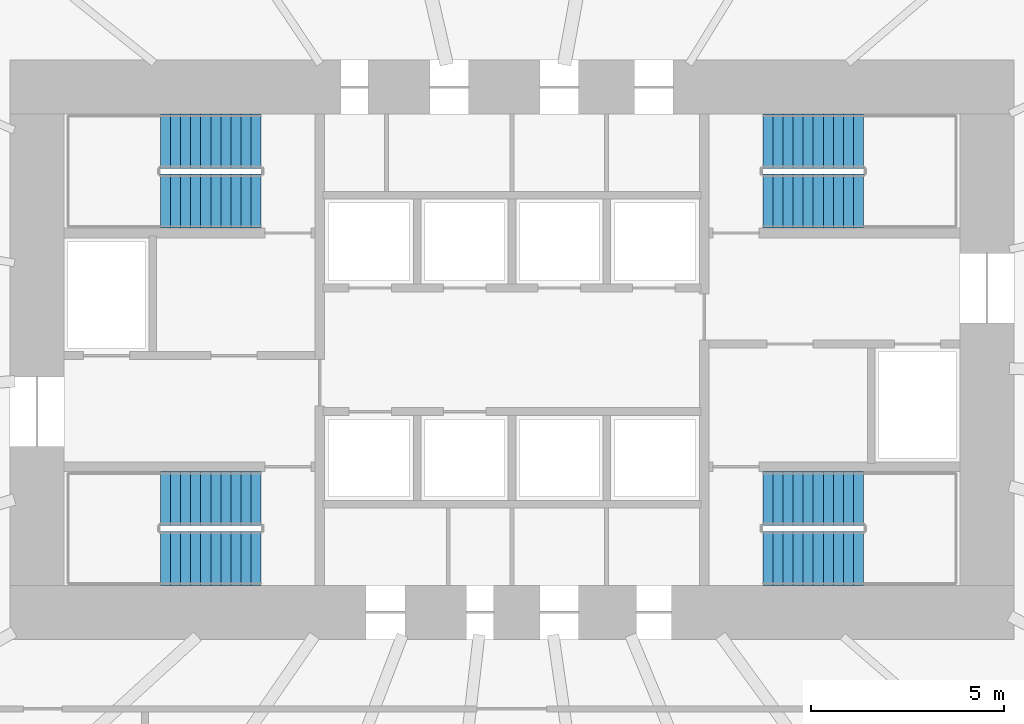
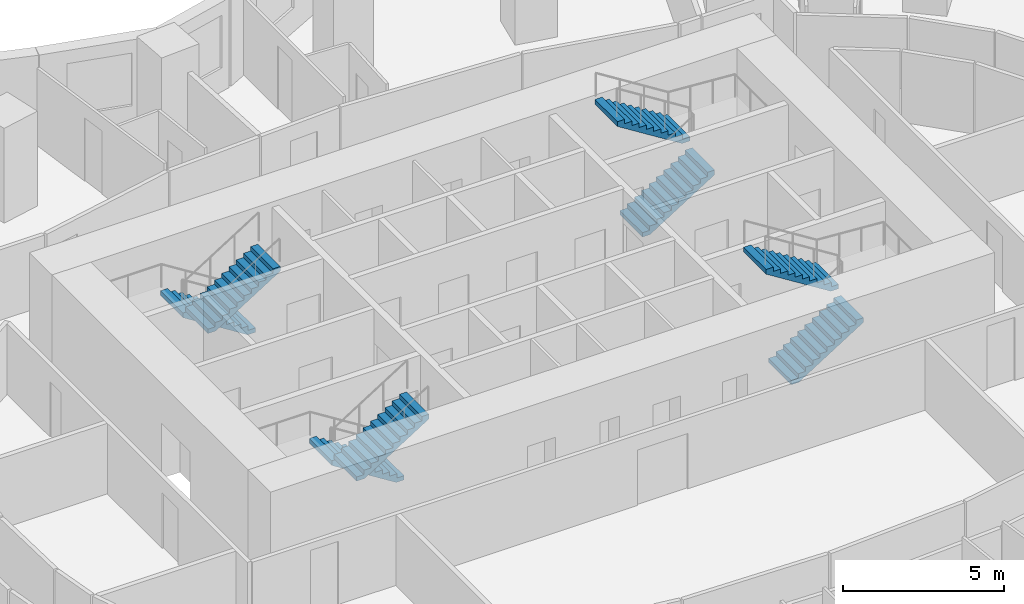
# One storey, part 10 of 11: 8 stair flights, 4 elements without a shape of their own.
"""IFC4 building model written with IfcOpenShell, lengths in metres."""

import ifcopenshell
import ifcopenshell.guid

model = None  # the IFC model being written
_history = None  # IfcOwnerHistory: only IFC2X3 demands one
_inside = {}  # id of a spatial element -> (the spatial element, [elements in it])
_under = {}  # id of a project, library or spatial element -> (it, [spatial elements below it])
_declared = {}  # id of a project -> (the project, [libraries it declares])
_typed = {}  # id of a type object -> (the type object, [elements of that type])
_made_of = {}  # id of a material, layer set ... -> (it, [elements and type objects made of it])


def new_model(schema):
    """Start an empty IFC model of exactly this schema.

    Asked for "IFC4X3", IfcOpenShell would pick the latest addendum, in which some entities
    have other attributes; the version numbers below select the first issue.
    IFC2X3 requires an IfcOwnerHistory on every rooted entity: one is made here for all.
    """
    global model, _history
    if schema == "IFC4X3":
        model = ifcopenshell.file(schema_version=(4, 3, 0, 0))
    else:
        model = ifcopenshell.file(schema=schema)
    _inside.clear()
    _under.clear()
    _declared.clear()
    _typed.clear()
    _made_of.clear()
    _history = None
    if model.schema == "IFC2X3":
        org = make("IfcOrganization", Name="unknown")
        user = make(
            "IfcPersonAndOrganization",
            ThePerson=make("IfcPerson", FamilyName="unknown"),
            TheOrganization=org,
        )
        app = make(
            "IfcApplication",
            ApplicationDeveloper=org,
            Version="unknown",
            ApplicationFullName="unknown",
            ApplicationIdentifier="unknown",
        )
        _history = make(
            "IfcOwnerHistory",
            OwningUser=user,
            OwningApplication=app,
            ChangeAction="ADDED",
            CreationDate=0,
        )
    return model


def make(cls, **values):
    """One entity of the class cls with the attributes given. An attribute that is None is left unset."""
    return model.create_entity(
        cls, **{name: value for name, value in values.items() if value is not None}
    )


def rooted(cls, **values):
    """An entity with a GlobalId (a new one), such as an element, a storey or a relation."""
    return make(cls, GlobalId=ifcopenshell.guid.new(), OwnerHistory=_history, **values)


def si_unit(unit_type, name, prefix=None):
    """IfcSIUnit, for example si_unit("LENGTHUNIT", "METRE", prefix="MILLI")."""
    return make("IfcSIUnit", UnitType=unit_type, Prefix=prefix, Name=name)


def assignment(units):
    """IfcUnitAssignment: the units of a project."""
    return None if units is None else make("IfcUnitAssignment", Units=units)


def point(xyz):
    """IfcCartesianPoint."""
    return None if xyz is None else make("IfcCartesianPoint", Coordinates=xyz)


def direction(xyz):
    """IfcDirection."""
    return None if xyz is None else make("IfcDirection", DirectionRatios=xyz)


def frame(location, z_axis=None, x_axis=None):
    """IfcAxis2Placement3D, a coordinate frame: its origin and axes. An axis left out is left unset."""
    return make(
        "IfcAxis2Placement3D",
        Location=point(location),
        Axis=direction(z_axis),
        RefDirection=direction(x_axis),
    )


def origin():
    """The frame at (0, 0, 0) with its axes left unset."""
    return frame((0.0, 0.0, 0.0))


def place(relative_to, where):
    """IfcLocalPlacement: puts the frame where relative to a parent placement (None: the world)."""
    return make(
        "IfcLocalPlacement", PlacementRelTo=relative_to, RelativePlacement=where
    )


def context(
    kind, dimensions, precision=None, world=None, true_north=None, identifier=None
):
    """IfcGeometricRepresentationContext, for example the 3D "Model" context."""
    return make(
        "IfcGeometricRepresentationContext",
        ContextIdentifier=identifier,
        ContextType=kind,
        CoordinateSpaceDimension=dimensions,
        Precision=precision,
        WorldCoordinateSystem=world,
        TrueNorth=true_north,
    )


def subcontext(parent, identifier, kind, view, scale=None):
    """IfcGeometricRepresentationSubContext, for example "Body" below "Model"."""
    return make(
        "IfcGeometricRepresentationSubContext",
        ContextIdentifier=identifier,
        ContextType=kind,
        ParentContext=parent,
        TargetScale=scale,
        TargetView=view,
    )


def project(units=None, contexts=None):
    """IfcProject with its units and contexts."""
    return rooted(
        "IfcProject",
        Name="project",
        RepresentationContexts=contexts,
        UnitsInContext=assignment(units),
    )


def spatial(cls, under=None, at=None, **own):
    """A site, building, storey or space (cls), placed at a placement, below another one or the project."""
    s = rooted(cls, ObjectPlacement=at, **own)
    if under is not None:
        _under.setdefault(under.id(), (under, []))[1].append(s)
    return s


def polyline(points):
    """IfcPolyline through the points."""
    return make("IfcPolyline", Points=[point(p) for p in points])


def outline(outer, holes=None, kind="AREA"):
    """IfcArbitraryClosedProfileDef: a profile drawn as a closed curve; with holes, ...WithVoids."""
    if holes is None:
        return make("IfcArbitraryClosedProfileDef", ProfileType=kind, OuterCurve=outer)
    return make(
        "IfcArbitraryProfileDefWithVoids",
        ProfileType=kind,
        OuterCurve=outer,
        InnerCurves=holes,
    )


def extrude(swept, where, along, depth):
    """IfcExtrudedAreaSolid: the profile swept, set in the frame where, extruded along a direction by depth."""
    return make(
        "IfcExtrudedAreaSolid",
        SweptArea=swept,
        Position=where,
        ExtrudedDirection=direction(along),
        Depth=depth,
    )


def shape(context_of_items, identifier, shape_type, items):
    """IfcShapeRepresentation: the items that make up one representation, for example the "Body"."""
    return make(
        "IfcShapeRepresentation",
        ContextOfItems=context_of_items,
        RepresentationIdentifier=identifier,
        RepresentationType=shape_type,
        Items=items,
    )


def material(Name=None, Category=None):
    """IfcMaterial."""
    return make("IfcMaterial", Name=Name, Category=Category)


def made_of(thing, what):
    """Note that an element or type object is made of a material, layer set ...; save() writes the relation."""
    if what is not None:
        _made_of.setdefault(what.id(), (what, []))[1].append(thing)
    return thing


def type_object(cls, material=None, **own):
    """A type object (cls), such as IfcWallType, which elements share."""
    return made_of(rooted(cls, **own), material)


def element(
    cls,
    number,
    at=None,
    inside=None,
    cuts=None,
    type_object=None,
    material=None,
    context=None,
    identifier="Body",
    shape_type=None,
    held_by="IfcProductDefinitionShape",
    body=None,
    shapes=None,
    **own,
):
    """One element of the class cls, such as IfcWall. Its Tag is "e" and its number.

    at: its placement. inside: the storey or other place that contains it. cuts: it is an
    opening in that element (IfcRelVoidsElement). A single representation is given by context,
    identifier, shape_type and body (its items); several are given by shapes. held_by: the class
    of the entity that holds the representations. save() writes the other relations.
    """
    e = rooted(cls, Tag="e%d" % number, ObjectPlacement=at, **own)
    if body is not None:
        shapes = [shape(context, identifier, shape_type, body)]
    if shapes is not None:
        e.Representation = make(held_by, Representations=shapes)
    if inside is not None:
        _inside.setdefault(inside.id(), (inside, []))[1].append(e)
    if cuts is not None:
        rooted(
            "IfcRelVoidsElement", RelatingBuildingElement=cuts, RelatedOpeningElement=e
        )
    if type_object is not None:
        _typed.setdefault(type_object.id(), (type_object, []))[1].append(e)
    return made_of(e, material)


def aggregate(whole, parts):
    """IfcRelAggregates: a whole, such as a stair, and the parts it consists of."""
    return rooted("IfcRelAggregates", RelatingObject=whole, RelatedObjects=parts)


def save(model, path):
    """Write the relations noted so far, then the file.

    IfcRelAggregates (storeys below a building ...), IfcRelContainedInSpatialStructure (elements
    in a storey), IfcRelDefinesByType, IfcRelAssociatesMaterial and IfcRelDeclares: one each for
    every whole, place, type object, material and project.
    """
    for whole, parts in _under.values():
        aggregate(whole, parts)
    for where, things in _inside.values():
        rooted(
            "IfcRelContainedInSpatialStructure",
            RelatedElements=things,
            RelatingStructure=where,
        )
    for kind, things in _typed.values():
        rooted("IfcRelDefinesByType", RelatedObjects=things, RelatingType=kind)
    for what, things in _made_of.values():
        rooted("IfcRelAssociatesMaterial", RelatedObjects=things, RelatingMaterial=what)
    for by, libraries in _declared.values():
        rooted("IfcRelDeclares", RelatingContext=by, RelatedDefinitions=libraries)
    model.write(path)


model = new_model("IFC4")

# Units and contexts
model_context = context("Model", 3, precision=1e-05, world=origin(), true_north=direction((0.0, 1.0)))
body_context = subcontext(model_context, "Body", "Model", "MODEL_VIEW")
ifc_project = project(units=[si_unit("LENGTHUNIT", "METRE"), si_unit("AREAUNIT", "SQUARE_METRE"), si_unit("VOLUMEUNIT", "CUBIC_METRE"), si_unit("PLANEANGLEUNIT", "RADIAN"), si_unit("MASSUNIT", "GRAM", prefix="KILO")], contexts=[model_context])

# Site, building, storey
site_placement = place(None, origin())
site = spatial("IfcSite", under=ifc_project, at=site_placement, CompositionType="ELEMENT")
building_placement = place(site_placement, origin())
building = spatial("IfcBuilding", under=site, at=building_placement, Name="Rubra Terraces Tower", CompositionType="ELEMENT")
storey_placement = place(building_placement, frame((0.0, 0.0, 48.300048828125)))
storey = spatial("IfcBuildingStorey", under=building, at=storey_placement, Name="L09", CompositionType="ELEMENT", Elevation=48.300048828125)

# Stair, stair flights
ifc_material = material(Name="Concrete C40", Category="concrete")
stair_type = type_object("IfcStairType", Name="Core stair 1400", PredefinedType="HALF_TURN_STAIR", material=ifc_material)
stair_1_placement = place(storey_placement, origin())
stair_1 = element("IfcStair", 1, at=stair_1_placement, inside=storey, type_object=stair_type, Name="L09 Exit stair S1", PredefinedType="HALF_TURN_STAIR")
stair_flight_type = type_object("IfcStairFlightType", Name="Core stair flight 1400", PredefinedType="STRAIGHT", material=ifc_material)
stair_flight_1_placement = place(storey_placement, frame((-6.5, 0.64990234375, 0.0), z_axis=(0.0, 0.0, 1.0), x_axis=(-1.0, 0.0, 0.0)))
stair_flight_1 = element("IfcStairFlight", 2, at=stair_flight_1_placement, type_object=stair_flight_type, Name="S1 flight 1", NumberOfRisers=11, NumberOfTreads=10, PredefinedType="STRAIGHT", RiserHeight=0.163636364, TreadLength=0.26, context=body_context, shape_type="SweptSolid", body=[
    extrude(outline(polyline([(0.0, 0.0), (0.0, 0.16357421875), (0.260009765625, 0.16357421875), (0.260009765625, 0.327392578125), (0.52001953125, 0.327392578125), (0.52001953125, 0.490966796875), (0.780029296875, 0.490966796875), (0.780029296875, 0.654541015625), (1.0400390625, 0.654541015625), (1.0400390625, 0.818115234375), (1.300048828125, 0.818115234375), (1.300048828125, 0.98193359375), (1.56005859375, 0.98193359375), (1.56005859375, 1.1455078125), (1.820068359375, 1.1455078125), (1.820068359375, 1.30908203125), (2.080078125, 1.30908203125), (2.080078125, 1.47265625), (2.340087890625, 1.47265625), (2.340087890625, 1.636474609375), (2.60009765625, 1.636474609375), (2.60009765625, 1.800048828125), (2.60009765625, 1.459228515625), (0.281494140625, 0.0), (0.0, 0.0)])), frame((0.0, 0.699951171875, 0.0), z_axis=(0.0, -1.0, 0.0), x_axis=(1.0, 0.0, 0.0)), (0.0, 0.0, 1.0), 1.39990234375),
])
stair_flight_2_placement = place(storey_placement, frame((-9.10009765625, -0.89990234375, 1.800048828125), z_axis=(0.0, 0.0, 1.0), x_axis=(1.0, 0.0, 0.0)))
stair_flight_2 = element("IfcStairFlight", 3, at=stair_flight_2_placement, type_object=stair_flight_type, Name="S1 flight 2", NumberOfRisers=11, NumberOfTreads=10, PredefinedType="STRAIGHT", RiserHeight=0.163636364, TreadLength=0.26, context=body_context, shape_type="SweptSolid", body=[
    extrude(outline(polyline([(0.0, 0.0), (0.0, 0.16357421875), (0.260009765625, 0.16357421875), (0.260009765625, 0.327392578125), (0.52001953125, 0.327392578125), (0.52001953125, 0.490966796875), (0.780029296875, 0.490966796875), (0.780029296875, 0.654541015625), (1.0400390625, 0.654541015625), (1.0400390625, 0.818115234375), (1.300048828125, 0.818115234375), (1.300048828125, 0.98193359375), (1.56005859375, 0.98193359375), (1.56005859375, 1.1455078125), (1.820068359375, 1.1455078125), (1.820068359375, 1.30908203125), (2.080078125, 1.30908203125), (2.080078125, 1.47265625), (2.340087890625, 1.47265625), (2.340087890625, 1.636474609375), (2.60009765625, 1.636474609375), (2.60009765625, 1.800048828125), (2.60009765625, 1.459228515625), (0.281494140625, 0.0), (0.0, 0.0)])), frame((0.0, 0.699951171875, 0.0), z_axis=(0.0, -1.0, 0.0), x_axis=(1.0, 0.0, 0.0)), (0.0, 0.0, 1.0), 1.39990234375),
])
aggregate(stair_1, [stair_flight_1, stair_flight_2])

stair_2_placement = place(storey_placement, origin())
stair_2 = element("IfcStair", 4, at=stair_2_placement, inside=storey, type_object=stair_type, Name="L09 Exit stair S2", PredefinedType="HALF_TURN_STAIR")
stair_flight_3_placement = place(storey_placement, frame((-6.5, 9.89990234375, 0.0), z_axis=(0.0, 0.0, 1.0), x_axis=(-1.0, 0.0, 0.0)))
stair_flight_3 = element("IfcStairFlight", 5, at=stair_flight_3_placement, type_object=stair_flight_type, Name="S2 flight 1", NumberOfRisers=11, NumberOfTreads=10, PredefinedType="STRAIGHT", RiserHeight=0.163636364, TreadLength=0.26, context=body_context, shape_type="SweptSolid", body=[
    extrude(outline(polyline([(0.0, 0.0), (0.0, 0.16357421875), (0.260009765625, 0.16357421875), (0.260009765625, 0.327392578125), (0.52001953125, 0.327392578125), (0.52001953125, 0.490966796875), (0.780029296875, 0.490966796875), (0.780029296875, 0.654541015625), (1.0400390625, 0.654541015625), (1.0400390625, 0.818115234375), (1.300048828125, 0.818115234375), (1.300048828125, 0.98193359375), (1.56005859375, 0.98193359375), (1.56005859375, 1.1455078125), (1.820068359375, 1.1455078125), (1.820068359375, 1.30908203125), (2.080078125, 1.30908203125), (2.080078125, 1.47265625), (2.340087890625, 1.47265625), (2.340087890625, 1.636474609375), (2.60009765625, 1.636474609375), (2.60009765625, 1.800048828125), (2.60009765625, 1.459228515625), (0.281494140625, 0.0), (0.0, 0.0)])), frame((0.0, 0.699951171875, 0.0), z_axis=(0.0, -1.0, 0.0), x_axis=(1.0, 0.0, 0.0)), (0.0, 0.0, 1.0), 1.39990234375),
])
stair_flight_4_placement = place(storey_placement, frame((-9.10009765625, 8.35009765625, 1.800048828125), z_axis=(0.0, 0.0, 1.0), x_axis=(1.0, 0.0, 0.0)))
stair_flight_4 = element("IfcStairFlight", 6, at=stair_flight_4_placement, type_object=stair_flight_type, Name="S2 flight 2", NumberOfRisers=11, NumberOfTreads=10, PredefinedType="STRAIGHT", RiserHeight=0.163636364, TreadLength=0.26, context=body_context, shape_type="SweptSolid", body=[
    extrude(outline(polyline([(0.0, 0.0), (0.0, 0.16357421875), (0.260009765625, 0.16357421875), (0.260009765625, 0.327392578125), (0.52001953125, 0.327392578125), (0.52001953125, 0.490966796875), (0.780029296875, 0.490966796875), (0.780029296875, 0.654541015625), (1.0400390625, 0.654541015625), (1.0400390625, 0.818115234375), (1.300048828125, 0.818115234375), (1.300048828125, 0.98193359375), (1.56005859375, 0.98193359375), (1.56005859375, 1.1455078125), (1.820068359375, 1.1455078125), (1.820068359375, 1.30908203125), (2.080078125, 1.30908203125), (2.080078125, 1.47265625), (2.340087890625, 1.47265625), (2.340087890625, 1.636474609375), (2.60009765625, 1.636474609375), (2.60009765625, 1.800048828125), (2.60009765625, 1.459228515625), (0.281494140625, 0.0), (0.0, 0.0)])), frame((0.0, 0.699951171875, 0.0), z_axis=(0.0, -1.0, 0.0), x_axis=(1.0, 0.0, 0.0)), (0.0, 0.0, 1.0), 1.39990234375),
])
aggregate(stair_2, [stair_flight_3, stair_flight_4])

stair_3_placement = place(storey_placement, origin())
stair_3 = element("IfcStair", 7, at=stair_3_placement, inside=storey, type_object=stair_type, Name="L09 Exit stair S3", PredefinedType="HALF_TURN_STAIR")
stair_flight_5_placement = place(storey_placement, frame((6.5, 8.35009765625, 0.0), z_axis=(0.0, 0.0, 1.0), x_axis=(1.0, 0.0, 0.0)))
stair_flight_5 = element("IfcStairFlight", 8, at=stair_flight_5_placement, type_object=stair_flight_type, Name="S3 flight 1", NumberOfRisers=11, NumberOfTreads=10, PredefinedType="STRAIGHT", RiserHeight=0.163636364, TreadLength=0.26, context=body_context, shape_type="SweptSolid", body=[
    extrude(outline(polyline([(0.0, 0.0), (0.0, 0.16357421875), (0.260009765625, 0.16357421875), (0.260009765625, 0.327392578125), (0.52001953125, 0.327392578125), (0.52001953125, 0.490966796875), (0.780029296875, 0.490966796875), (0.780029296875, 0.654541015625), (1.0400390625, 0.654541015625), (1.0400390625, 0.818115234375), (1.300048828125, 0.818115234375), (1.300048828125, 0.98193359375), (1.56005859375, 0.98193359375), (1.56005859375, 1.1455078125), (1.820068359375, 1.1455078125), (1.820068359375, 1.30908203125), (2.080078125, 1.30908203125), (2.080078125, 1.47265625), (2.340087890625, 1.47265625), (2.340087890625, 1.636474609375), (2.60009765625, 1.636474609375), (2.60009765625, 1.800048828125), (2.60009765625, 1.459228515625), (0.281494140625, 0.0), (0.0, 0.0)])), frame((0.0, 0.699951171875, 0.0), z_axis=(0.0, -1.0, 0.0), x_axis=(1.0, 0.0, 0.0)), (0.0, 0.0, 1.0), 1.39990234375),
])
stair_flight_6_placement = place(storey_placement, frame((9.10009765625, 9.89990234375, 1.800048828125), z_axis=(0.0, 0.0, 1.0), x_axis=(-1.0, 0.0, 0.0)))
stair_flight_6 = element("IfcStairFlight", 9, at=stair_flight_6_placement, type_object=stair_flight_type, Name="S3 flight 2", NumberOfRisers=11, NumberOfTreads=10, PredefinedType="STRAIGHT", RiserHeight=0.163636364, TreadLength=0.26, context=body_context, shape_type="SweptSolid", body=[
    extrude(outline(polyline([(0.0, 0.0), (0.0, 0.16357421875), (0.260009765625, 0.16357421875), (0.260009765625, 0.327392578125), (0.52001953125, 0.327392578125), (0.52001953125, 0.490966796875), (0.780029296875, 0.490966796875), (0.780029296875, 0.654541015625), (1.0400390625, 0.654541015625), (1.0400390625, 0.818115234375), (1.300048828125, 0.818115234375), (1.300048828125, 0.98193359375), (1.56005859375, 0.98193359375), (1.56005859375, 1.1455078125), (1.820068359375, 1.1455078125), (1.820068359375, 1.30908203125), (2.080078125, 1.30908203125), (2.080078125, 1.47265625), (2.340087890625, 1.47265625), (2.340087890625, 1.636474609375), (2.60009765625, 1.636474609375), (2.60009765625, 1.800048828125), (2.60009765625, 1.459228515625), (0.281494140625, 0.0), (0.0, 0.0)])), frame((0.0, 0.699951171875, 0.0), z_axis=(0.0, -1.0, 0.0), x_axis=(1.0, 0.0, 0.0)), (0.0, 0.0, 1.0), 1.39990234375),
])
aggregate(stair_3, [stair_flight_5, stair_flight_6])

stair_4_placement = place(storey_placement, origin())
stair_4 = element("IfcStair", 10, at=stair_4_placement, inside=storey, type_object=stair_type, Name="L09 Exit stair S4", PredefinedType="HALF_TURN_STAIR")
stair_flight_7_placement = place(storey_placement, frame((6.5, -0.89990234375, 0.0), z_axis=(0.0, 0.0, 1.0), x_axis=(1.0, 0.0, 0.0)))
stair_flight_7 = element("IfcStairFlight", 11, at=stair_flight_7_placement, type_object=stair_flight_type, Name="S4 flight 1", NumberOfRisers=11, NumberOfTreads=10, PredefinedType="STRAIGHT", RiserHeight=0.163636364, TreadLength=0.26, context=body_context, shape_type="SweptSolid", body=[
    extrude(outline(polyline([(0.0, 0.0), (0.0, 0.16357421875), (0.260009765625, 0.16357421875), (0.260009765625, 0.327392578125), (0.52001953125, 0.327392578125), (0.52001953125, 0.490966796875), (0.780029296875, 0.490966796875), (0.780029296875, 0.654541015625), (1.0400390625, 0.654541015625), (1.0400390625, 0.818115234375), (1.300048828125, 0.818115234375), (1.300048828125, 0.98193359375), (1.56005859375, 0.98193359375), (1.56005859375, 1.1455078125), (1.820068359375, 1.1455078125), (1.820068359375, 1.30908203125), (2.080078125, 1.30908203125), (2.080078125, 1.47265625), (2.340087890625, 1.47265625), (2.340087890625, 1.636474609375), (2.60009765625, 1.636474609375), (2.60009765625, 1.800048828125), (2.60009765625, 1.459228515625), (0.281494140625, 0.0), (0.0, 0.0)])), frame((0.0, 0.699951171875, 0.0), z_axis=(0.0, -1.0, 0.0), x_axis=(1.0, 0.0, 0.0)), (0.0, 0.0, 1.0), 1.39990234375),
])
stair_flight_8_placement = place(storey_placement, frame((9.10009765625, 0.64990234375, 1.800048828125), z_axis=(0.0, 0.0, 1.0), x_axis=(-1.0, 0.0, 0.0)))
stair_flight_8 = element("IfcStairFlight", 12, at=stair_flight_8_placement, type_object=stair_flight_type, Name="S4 flight 2", NumberOfRisers=11, NumberOfTreads=10, PredefinedType="STRAIGHT", RiserHeight=0.163636364, TreadLength=0.26, context=body_context, shape_type="SweptSolid", body=[
    extrude(outline(polyline([(0.0, 0.0), (0.0, 0.16357421875), (0.260009765625, 0.16357421875), (0.260009765625, 0.327392578125), (0.52001953125, 0.327392578125), (0.52001953125, 0.490966796875), (0.780029296875, 0.490966796875), (0.780029296875, 0.654541015625), (1.0400390625, 0.654541015625), (1.0400390625, 0.818115234375), (1.300048828125, 0.818115234375), (1.300048828125, 0.98193359375), (1.56005859375, 0.98193359375), (1.56005859375, 1.1455078125), (1.820068359375, 1.1455078125), (1.820068359375, 1.30908203125), (2.080078125, 1.30908203125), (2.080078125, 1.47265625), (2.340087890625, 1.47265625), (2.340087890625, 1.636474609375), (2.60009765625, 1.636474609375), (2.60009765625, 1.800048828125), (2.60009765625, 1.459228515625), (0.281494140625, 0.0), (0.0, 0.0)])), frame((0.0, 0.699951171875, 0.0), z_axis=(0.0, -1.0, 0.0), x_axis=(1.0, 0.0, 0.0)), (0.0, 0.0, 1.0), 1.39990234375),
])
aggregate(stair_4, [stair_flight_7, stair_flight_8])

save(model, "model.ifc")
